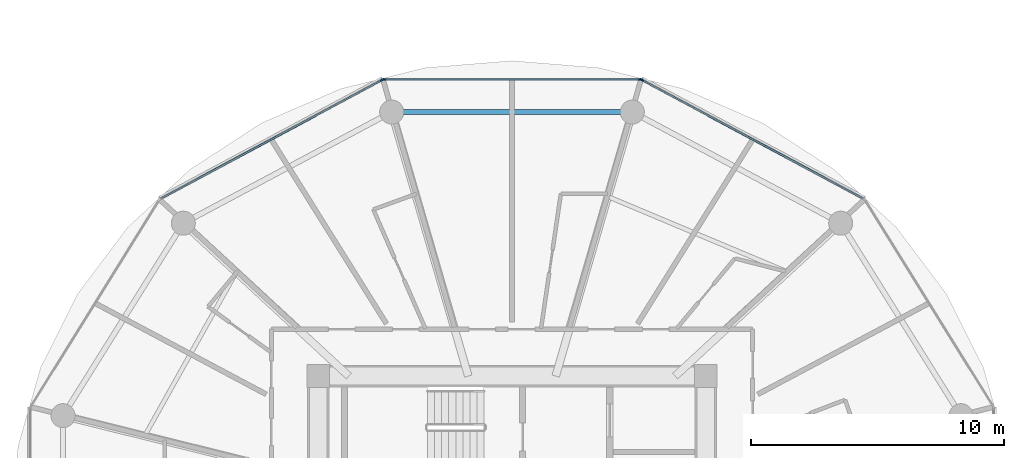
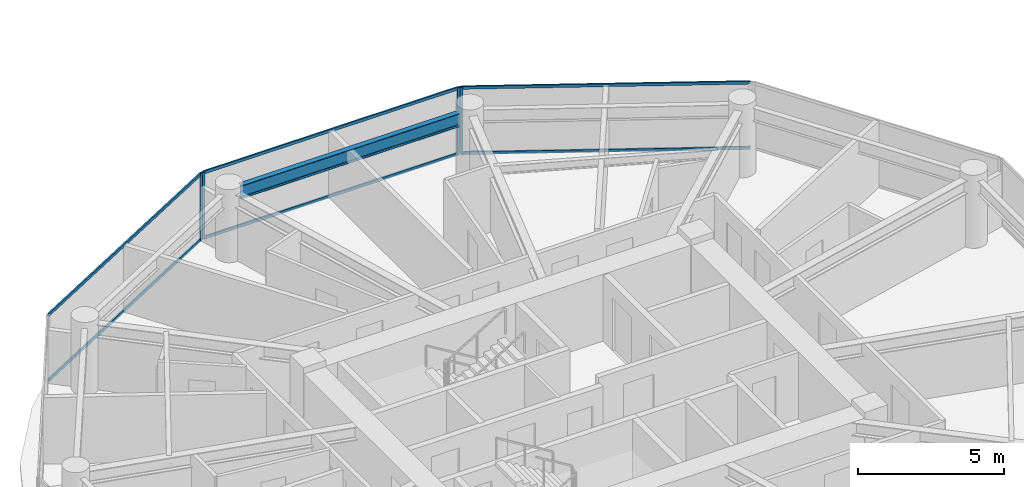
# One storey, part 9 of 26: 10 members, 1 beam, 3 elements without a shape of their own.
"""IFC4 building model written with IfcOpenShell, lengths in metres."""

from ifc_helpers import new_model, si_unit, direction, frame, origin, origin_2d, place, context, subcontext, project, spatial, rectangle, i_section, extrude, source, transform, mapped, material, layer, layer_set, material_profile, profile_set, type_object, type_shapes, element, aggregate, save


model = new_model("IFC4")

# Units and contexts
model_context = context("Model", 3, precision=1e-05, world=origin(), true_north=direction((0.0, 1.0)))
body_context = subcontext(model_context, "Body", "Model", "MODEL_VIEW")
ifc_project = project(units=[si_unit("LENGTHUNIT", "METRE"), si_unit("AREAUNIT", "SQUARE_METRE"), si_unit("VOLUMEUNIT", "CUBIC_METRE"), si_unit("PLANEANGLEUNIT", "RADIAN"), si_unit("MASSUNIT", "GRAM", prefix="KILO")], contexts=[model_context])

# Site, building, storey
site_placement = place(None, origin())
site = spatial("IfcSite", under=ifc_project, at=site_placement, CompositionType="ELEMENT")
building_placement = place(site_placement, origin())
building = spatial("IfcBuilding", under=site, at=building_placement, Name="Norrkilde Senior Care Towers", CompositionType="ELEMENT")
storey_placement = place(building_placement, frame((0.0, 0.0, 64.300048828125)))
storey = spatial("IfcBuildingStorey", under=building, at=storey_placement, Name="L19", CompositionType="ELEMENT", Elevation=64.300048828125)

# Beam
ifc_material_1 = material(Name="Steel S355", Category="steel")
ifc_material_profile_1 = material_profile(ifc_material_1, i_section(OverallWidth=0.2099609375, OverallDepth=0.550048828125, WebThickness=0.010986328125, FlangeThickness=0.01708984375, FilletRadius=0.02392578125, at=origin_2d()), Name="IPE 550")
ifc_profile_set_1 = profile_set([ifc_material_profile_1], Name="Steel S355")
beam_type = type_object("IfcBeamType", Name="Perimeter Ring Spandrel Z1 IPE550", PredefinedType="SPANDREL", material=ifc_profile_set_1)
shared_shape_1 = source(origin(), body_context, "Body", "SweptSolid", [
    extrude(i_section(OverallWidth=0.2099609375, OverallDepth=0.550048828125, WebThickness=0.010986328125, FlangeThickness=0.01708984375, FilletRadius=0.02392578125, at=origin_2d()), origin(), (0.0, 0.0, 1.0), 8.62841796875),
])
type_shapes(beam_type, [shared_shape_1])
beam_placement = place(storey_placement, frame((-23.685791015625, 16.37255859375, 2.514892578125), z_axis=(-1.0, 0.0, 0.0), x_axis=(0.0, -1.0, 0.0)))
element("IfcBeam", 1, at=beam_placement, inside=storey, type_object=beam_type, Name="L19 Drum W Perimeter Spandrel 03", PredefinedType="SPANDREL", context=body_context, shape_type="MappedRepresentation", body=[
    mapped(shared_shape_1, transform((0.0, 0.0, 0.0), x_axis=(1.0, 0.0, 0.0), y_axis=(0.0, 1.0, 0.0), z_axis=(0.0, 0.0, 1.0), scale=1.0)),
])

# Curtain wall, member
ifc_material_2 = material(Name="Triple Low-E Insulated Glazing", Category="glass")
ifc_layer = layer(ifc_material_2, 0.199951171875)
ifc_layer_set = layer_set([ifc_layer], Name="Triple Low-E Insulated Glazing")
curtain_wall_type = type_object("IfcCurtainWallType", Name="CW2 Zone 1 Memory Care Curtain Wall", PredefinedType="NOTDEFINED", material=ifc_layer_set)
curtain_wall_1_placement = place(storey_placement, origin())
curtain_wall_1 = element("IfcCurtainWall", 2, at=curtain_wall_1_placement, inside=storey, type_object=curtain_wall_type, Name="L19 Drum W Curtain Wall 01", PredefinedType="NOTDEFINED")
ifc_material_3 = material(Name="Anodised Aluminium", Category="aluminium")
ifc_material_profile_2 = material_profile(ifc_material_3, rectangle(XDim=0.06494140625, YDim=0.159912109375, at=origin_2d()), Name="ALU MULL 65x160")
ifc_profile_set_2 = profile_set([ifc_material_profile_2], Name="Anodised Aluminium")
member_type_1 = type_object("IfcMemberType", Name="Curtain Wall Mullion Z1-Z2 65x160", PredefinedType="MULLION", material=ifc_profile_set_2)
shared_shape_2 = source(origin(), body_context, "Body", "SweptSolid", [
    extrude(rectangle(XDim=0.06494140625, YDim=0.159912109375, at=origin_2d()), origin(), (0.0, 0.0, 1.0), 2.7900390625),
])
type_shapes(member_type_1, [shared_shape_2])
member_1_placement = place(storey_placement, frame((-22.877685546875, 17.641845703125, 0.0), z_axis=(0.0, 0.0, 1.0), x_axis=(0.472607802456, 0.881272866403, 0.0)))
member_1 = element("IfcMember", 3, at=member_1_placement, type_object=member_type_1, Name="CW-2 mullion 1", PredefinedType="MULLION", context=body_context, shape_type="MappedRepresentation", body=[
    mapped(shared_shape_2, transform((0.0, 0.0, 0.0), x_axis=(1.0, 0.0, 0.0), y_axis=(0.0, 1.0, 0.0), z_axis=(0.0, 0.0, 1.0), scale=1.0)),
])

# Curtain wall, members
curtain_wall_2_placement = place(storey_placement, origin())
curtain_wall_2 = element("IfcCurtainWall", 4, at=curtain_wall_2_placement, inside=storey, type_object=curtain_wall_type, Name="L19 Drum W Curtain Wall 02", PredefinedType="NOTDEFINED")
member_2_placement = place(storey_placement, frame((-33.06103515625, 17.6572265625, 0.0), z_axis=(0.0, 0.0, 1.0), x_axis=(0.0, 1.0, 0.0)))
member_2 = element("IfcMember", 5, at=member_2_placement, type_object=member_type_1, Name="CW-2 mullion 1", PredefinedType="MULLION", context=body_context, shape_type="MappedRepresentation", body=[
    mapped(shared_shape_2, transform((0.0, 0.0, 0.0), x_axis=(1.0, 0.0, 0.0), y_axis=(0.0, 1.0, 0.0), z_axis=(0.0, 0.0, 1.0), scale=1.0)),
])
member_3_placement = place(storey_placement, frame((-22.93896484375, 17.6572265625, 0.0), z_axis=(0.0, 0.0, 1.0), x_axis=(0.0, 1.0, 0.0)))
member_3 = element("IfcMember", 6, at=member_3_placement, type_object=member_type_1, Name="CW-2 mullion 2", PredefinedType="MULLION", context=body_context, shape_type="MappedRepresentation", body=[
    mapped(shared_shape_2, transform((0.0, 0.0, 0.0), x_axis=(1.0, 0.0, 0.0), y_axis=(0.0, 1.0, 0.0), z_axis=(0.0, 0.0, 1.0), scale=1.0)),
])

# Curtain wall, member
curtain_wall_3_placement = place(storey_placement, origin())
curtain_wall_3 = element("IfcCurtainWall", 7, at=curtain_wall_3_placement, inside=storey, type_object=curtain_wall_type, Name="L19 Drum W Curtain Wall 03", PredefinedType="NOTDEFINED")
member_4_placement = place(storey_placement, frame((-33.122314453125, 17.641845703125, 0.0), z_axis=(0.0, 0.0, 1.0), x_axis=(-0.472607802456, 0.881272866403, 0.0)))
member_4 = element("IfcMember", 8, at=member_4_placement, type_object=member_type_1, Name="CW-2 mullion 2", PredefinedType="MULLION", context=body_context, shape_type="MappedRepresentation", body=[
    mapped(shared_shape_2, transform((0.0, 0.0, 0.0), x_axis=(1.0, 0.0, 0.0), y_axis=(0.0, 1.0, 0.0), z_axis=(0.0, 0.0, 1.0), scale=1.0)),
])

# Member
ifc_material_profile_3 = material_profile(ifc_material_3, rectangle(XDim=0.06005859375, YDim=0.1201171875, at=origin_2d()), Name="ALU TRAN 60x120")
ifc_profile_set_3 = profile_set([ifc_material_profile_3], Name="Anodised Aluminium")
member_type_2 = type_object("IfcMemberType", Name="Curtain Wall Transom Typical 60x120", PredefinedType="USERDEFINED", material=ifc_profile_set_3)
shared_shape_3 = source(origin(), body_context, "Body", "SweptSolid", [
    extrude(rectangle(XDim=0.06005859375, YDim=0.1201171875, at=origin_2d()), origin(), (0.0, 0.0, 1.0), 9.880859375),
])
member_5_placement = place(storey_placement, frame((-22.84912109375, 17.62646484375, 0.030029296875), z_axis=(0.881267204043, -0.47261836092, 0.0), x_axis=(0.47261836092, 0.881267204043, 0.0)))
member_5 = element("IfcMember", 9, at=member_5_placement, type_object=member_type_2, Name="CW-2 transom 1.1", ObjectType="TRANSOM", PredefinedType="USERDEFINED", context=body_context, shape_type="MappedRepresentation", body=[
    mapped(shared_shape_3, transform((0.0, 0.0, 0.0), x_axis=(1.0, 0.0, 0.0), y_axis=(0.0, 1.0, 0.0), z_axis=(0.0, 0.0, 1.0), scale=1.0)),
])

member_6_placement = place(storey_placement, frame((-22.84912109375, 17.62646484375, 2.760009765625), z_axis=(0.881267204043, -0.47261836092, 0.0), x_axis=(0.47261836092, 0.881267204043, 0.0)))
member_6 = element("IfcMember", 10, at=member_6_placement, type_object=member_type_2, Name="CW-2 transom 1.2", ObjectType="TRANSOM", PredefinedType="USERDEFINED", context=body_context, shape_type="MappedRepresentation", body=[
    mapped(shared_shape_3, transform((0.0, 0.0, 0.0), x_axis=(1.0, 0.0, 0.0), y_axis=(0.0, 1.0, 0.0), z_axis=(0.0, 0.0, 1.0), scale=1.0)),
])

aggregate(curtain_wall_1, [member_1, member_5, member_6])

member_7_placement = place(storey_placement, frame((-41.858642578125, 12.95654296875, 0.030029296875), z_axis=(0.881267204043, 0.47261836092, 0.0), x_axis=(-0.47261836092, 0.881267204043, 0.0)))
member_7 = element("IfcMember", 11, at=member_7_placement, type_object=member_type_2, Name="CW-2 transom 1.1", ObjectType="TRANSOM", PredefinedType="USERDEFINED", context=body_context, shape_type="MappedRepresentation", body=[
    mapped(shared_shape_3, transform((0.0, 0.0, 0.0), x_axis=(1.0, 0.0, 0.0), y_axis=(0.0, 1.0, 0.0), z_axis=(0.0, 0.0, 1.0), scale=1.0)),
])

member_8_placement = place(storey_placement, frame((-41.858642578125, 12.95654296875, 2.760009765625), z_axis=(0.881267204043, 0.47261836092, 0.0), x_axis=(-0.47261836092, 0.881267204043, 0.0)))
member_8 = element("IfcMember", 12, at=member_8_placement, type_object=member_type_2, Name="CW-2 transom 1.2", ObjectType="TRANSOM", PredefinedType="USERDEFINED", context=body_context, shape_type="MappedRepresentation", body=[
    mapped(shared_shape_3, transform((0.0, 0.0, 0.0), x_axis=(1.0, 0.0, 0.0), y_axis=(0.0, 1.0, 0.0), z_axis=(0.0, 0.0, 1.0), scale=1.0)),
])

aggregate(curtain_wall_3, [member_4, member_7, member_8])

shared_shape_4 = source(origin(), body_context, "Body", "SweptSolid", [
    extrude(rectangle(XDim=0.06005859375, YDim=0.1201171875, at=origin_2d()), origin(), (0.0, 0.0, 1.0), 10.05712890625),
])
type_shapes(member_type_2, [shared_shape_3, shared_shape_4])
member_9_placement = place(storey_placement, frame((-33.028564453125, 17.6572265625, 0.030029296875), z_axis=(1.0, 0.0, 0.0), x_axis=(0.0, 1.0, 0.0)))
member_9 = element("IfcMember", 13, at=member_9_placement, type_object=member_type_2, Name="CW-2 transom 1.1", ObjectType="TRANSOM", PredefinedType="USERDEFINED", context=body_context, shape_type="MappedRepresentation", body=[
    mapped(shared_shape_4, transform((0.0, 0.0, 0.0), x_axis=(1.0, 0.0, 0.0), y_axis=(0.0, 1.0, 0.0), z_axis=(0.0, 0.0, 1.0), scale=1.0)),
])

member_10_placement = place(storey_placement, frame((-33.028564453125, 17.6572265625, 2.760009765625), z_axis=(1.0, 0.0, 0.0), x_axis=(0.0, 1.0, 0.0)))
member_10 = element("IfcMember", 14, at=member_10_placement, type_object=member_type_2, Name="CW-2 transom 1.2", ObjectType="TRANSOM", PredefinedType="USERDEFINED", context=body_context, shape_type="MappedRepresentation", body=[
    mapped(shared_shape_4, transform((0.0, 0.0, 0.0), x_axis=(1.0, 0.0, 0.0), y_axis=(0.0, 1.0, 0.0), z_axis=(0.0, 0.0, 1.0), scale=1.0)),
])

aggregate(curtain_wall_2, [member_2, member_3, member_9, member_10])

save(model, "model.ifc")
